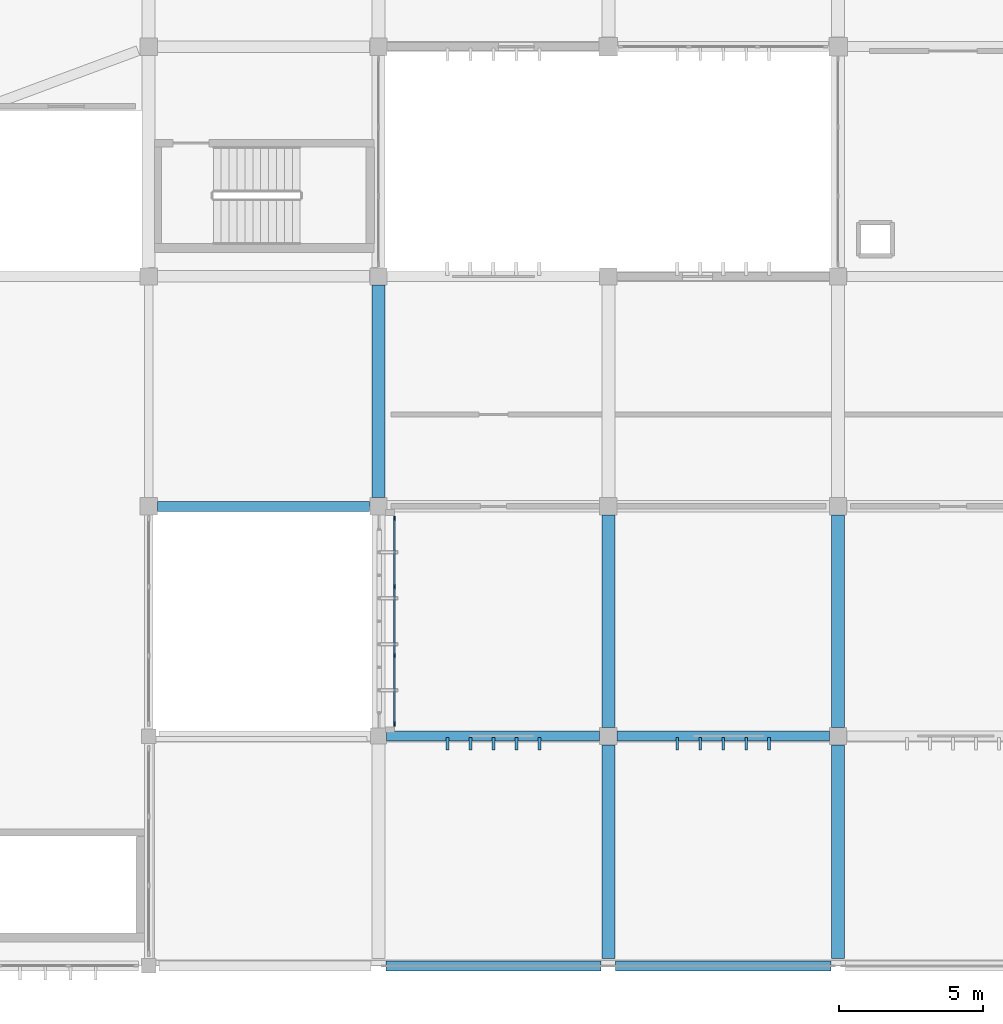
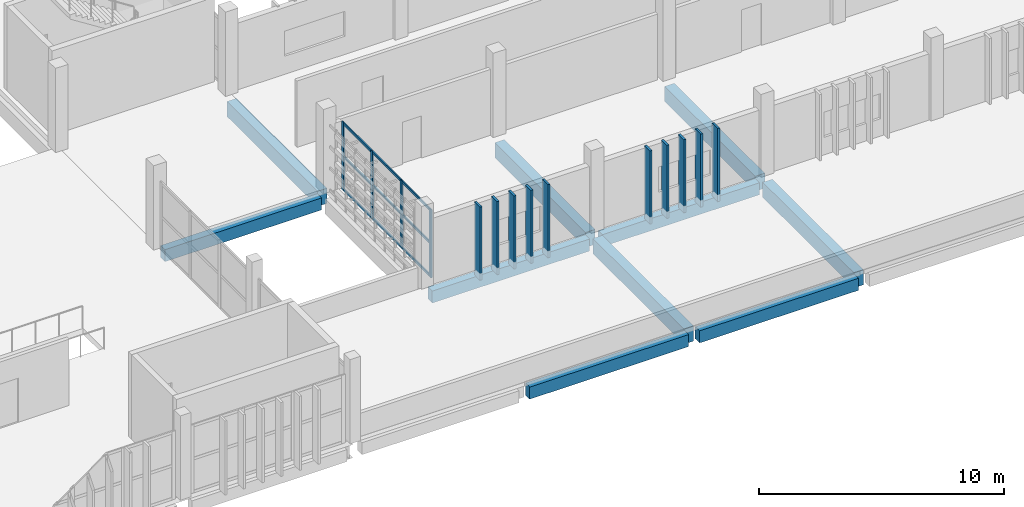
# One storey, part 12 of 137: 23 members, 10 beams, 1 element without a shape of its own.
"""IFC4 building model written with IfcOpenShell, lengths in metres."""

from ifc_helpers import new_model, si_unit, direction, frame, origin, origin_2d, place, context, subcontext, project, spatial, rectangle, extrude, material, layer, layer_set, material_profile, profile_set, type_object, element, aggregate, save


model = new_model("IFC4")

# Units and contexts
model_context = context("Model", 3, precision=1e-05, world=origin(), true_north=direction((0.0, 1.0)))
body_context = subcontext(model_context, "Body", "Model", "MODEL_VIEW")
ifc_project = project(units=[si_unit("LENGTHUNIT", "METRE"), si_unit("AREAUNIT", "SQUARE_METRE"), si_unit("VOLUMEUNIT", "CUBIC_METRE"), si_unit("PLANEANGLEUNIT", "RADIAN"), si_unit("MASSUNIT", "GRAM", prefix="KILO")], contexts=[model_context])

# Site, building, storey
site_placement = place(None, origin())
site = spatial("IfcSite", under=ifc_project, at=site_placement, CompositionType="ELEMENT")
building_placement = place(site_placement, origin())
building = spatial("IfcBuilding", under=site, at=building_placement, Name="Jelvoka-Kovrelna Polytechnic", CompositionType="ELEMENT")
storey_placement = place(building_placement, frame((0.0, 0.0, 9.60009765625)))
storey = spatial("IfcBuildingStorey", under=building, at=storey_placement, Name="L03", CompositionType="ELEMENT", Elevation=9.60009765625)

# Beams
ifc_material_1 = material(Name="Concrete C40/50", Category="concrete")
ifc_material_profile_1 = material_profile(ifc_material_1, rectangle(XDim=0.449951171875, YDim=0.75, at=origin_2d()), Name="RC 450x750")
ifc_profile_set_1 = profile_set([ifc_material_profile_1], Name="Concrete C40/50")
beam_type_1 = type_object("IfcBeamType", Name="Beam_RC_450x750", PredefinedType="BEAM", material=ifc_profile_set_1)
for number, where, z_axis, x_axis, name in (
    (1, (56.0, 16.304931640625, -0.64013671875), (0.0, 1.0, 0.0), (-1.0, 0.0, 0.0), "L03 beam 0884"),
    (2, (64.0, 8.304931640625, -0.64013671875), (0.0, 1.0, 0.0), (-1.0, 0.0, 0.0), "L03 beam 0885"),
    (3, (72.0, 8.304931640625, -0.64013671875), (0.0, 1.0, 0.0), (-1.0, 0.0, 0.0), "L03 beam 0887"),
):
    element("IfcBeam", number, at=place(storey_placement, frame(where, z_axis=z_axis, x_axis=x_axis)), inside=storey, type_object=beam_type_1, Name=name, PredefinedType="BEAM", context=body_context, shape_type="SweptSolid", body=[
        extrude(rectangle(XDim=0.449951171875, YDim=0.75, at=origin_2d()), origin(), (0.0, 0.0, 1.0), 7.39013671875),
    ])
for number, where, z_axis, x_axis, name in (
    (4, (64.0, 0.2548828125, -0.565185546875), (0.0, 1.0, 0.0), (-1.0, 0.0, 0.0), "L03 beam 2049"),
    (5, (72.0, 0.2548828125, -0.565185546875), (0.0, 1.0, 0.0), (-1.0, 0.0, 0.0), "L03 beam 2050"),
):
    element("IfcBeam", number, at=place(storey_placement, frame(where, z_axis=z_axis, x_axis=x_axis)), inside=storey, type_object=beam_type_1, Name=name, PredefinedType="BEAM", context=body_context, shape_type="SweptSolid", body=[
        extrude(rectangle(XDim=0.449951171875, YDim=0.75, at=origin_2d()), origin(), (0.0, 0.0, 1.0), 7.440185546875),
    ])

# Members
ifc_material_2 = material(Name="Precast concrete C40/50", Category="concrete")
ifc_material_profile_2 = material_profile(ifc_material_2, rectangle(XDim=0.10009765625, YDim=0.449951171875, at=origin_2d()), Name="PC 100x450")
ifc_profile_set_2 = profile_set([ifc_material_profile_2], Name="Precast concrete C40/50")
member_type_1 = type_object("IfcMemberType", Name="Louvre_Fin_100x450", PredefinedType="USERDEFINED", material=ifc_profile_set_2)
for number, where, z_axis, x_axis, name in (
    (6, (58.39990234375, 7.735107421875, -0.27001953125), (0.0, 0.0, 1.0), (1.0, 0.0, 0.0), "L03 B1 south vertical solar louvre fin 0216"),
    (7, (59.199951171875, 7.735107421875, -0.27001953125), (0.0, 0.0, 1.0), (1.0, 0.0, 0.0), "L03 B1 south vertical solar louvre fin 0217"),
    (8, (60.0, 7.735107421875, -0.27001953125), (0.0, 0.0, 1.0), (1.0, 0.0, 0.0), "L03 B1 south vertical solar louvre fin 0218"),
    (9, (60.800048828125, 7.735107421875, -0.27001953125), (0.0, 0.0, 1.0), (1.0, 0.0, 0.0), "L03 B1 south vertical solar louvre fin 0219"),
    (10, (61.60009765625, 7.735107421875, -0.27001953125), (0.0, 0.0, 1.0), (1.0, 0.0, 0.0), "L03 B1 south vertical solar louvre fin 0220"),
    (11, (66.39990234375, 7.735107421875, -0.27001953125), (0.0, 0.0, 1.0), (1.0, 0.0, 0.0), "L03 B1 south vertical solar louvre fin 0226"),
    (12, (67.199951171875, 7.735107421875, -0.27001953125), (0.0, 0.0, 1.0), (1.0, 0.0, 0.0), "L03 B1 south vertical solar louvre fin 0227"),
    (13, (68.0, 7.735107421875, -0.27001953125), (0.0, 0.0, 1.0), (1.0, 0.0, 0.0), "L03 B1 south vertical solar louvre fin 0228"),
    (14, (68.800048828125, 7.735107421875, -0.27001953125), (0.0, 0.0, 1.0), (1.0, 0.0, 0.0), "L03 B1 south vertical solar louvre fin 0229"),
    (15, (69.60009765625, 7.735107421875, -0.27001953125), (0.0, 0.0, 1.0), (1.0, 0.0, 0.0), "L03 B1 south vertical solar louvre fin 0230"),
):
    element("IfcMember", number, at=place(storey_placement, frame(where, z_axis=z_axis, x_axis=x_axis)), inside=storey, type_object=member_type_1, Name=name, ObjectType="SUNSHADE", PredefinedType="USERDEFINED", context=body_context, shape_type="SweptSolid", body=[
        extrude(rectangle(XDim=0.10009765625, YDim=0.449951171875, at=origin_2d()), origin(), (0.0, 0.0, 1.0), 3.64501953125),
    ])

# Curtain wall, members
ifc_material_3 = material(Name="Anodised aluminium 6063-T6", Category="aluminium")
ifc_layer = layer(ifc_material_3, 0.159912109375)
ifc_layer_set = layer_set([ifc_layer], Name="Anodised aluminium 6063-T6")
curtain_wall_type = type_object("IfcCurtainWallType", Name="CW_Recessed_A", PredefinedType="NOTDEFINED", material=ifc_layer_set)
curtain_wall_placement = place(storey_placement, origin())
curtain_wall = element("IfcCurtainWall", 16, at=curtain_wall_placement, inside=storey, type_object=curtain_wall_type, Name="L03 glazed curtain wall 003", PredefinedType="NOTDEFINED")
ifc_material_4 = material(Name="Anodised aluminium 6063-T6", Category="aluminium")
ifc_material_profile_3 = material_profile(ifc_material_4, rectangle(XDim=0.06005859375, YDim=0.159912109375, at=origin_2d()), Name="ALU 60x160")
ifc_profile_set_3 = profile_set([ifc_material_profile_3], Name="Anodised aluminium 6063-T6")
member_type_2 = type_object("IfcMemberType", Name="Mullion_M-01", PredefinedType="MULLION", material=ifc_profile_set_3)
member_1_placement = place(storey_placement, frame((56.56005859375, 8.429931640625, -0.02490234375), z_axis=(0.0, 0.0, 1.0), x_axis=(-1.0, 0.0, 0.0)))
member_1 = element("IfcMember", 17, at=member_1_placement, type_object=member_type_2, Name="CW-01 mullion 1", PredefinedType="MULLION", context=body_context, shape_type="SweptSolid", body=[
    extrude(rectangle(XDim=0.06005859375, YDim=0.159912109375, at=origin_2d()), origin(), (0.0, 0.0, 1.0), 3.39990234375),
])
member_2_placement = place(storey_placement, frame((56.56005859375, 10.800048828125, -0.02490234375), z_axis=(0.0, 0.0, 1.0), x_axis=(-1.0, 0.0, 0.0)))
member_2 = element("IfcMember", 18, at=member_2_placement, type_object=member_type_2, Name="CW-01 mullion 2", PredefinedType="MULLION", context=body_context, shape_type="SweptSolid", body=[
    extrude(rectangle(XDim=0.06005859375, YDim=0.159912109375, at=origin_2d()), origin(), (0.0, 0.0, 1.0), 3.39990234375),
])
member_3_placement = place(storey_placement, frame((56.56005859375, 13.199951171875, -0.02490234375), z_axis=(0.0, 0.0, 1.0), x_axis=(-1.0, 0.0, 0.0)))
member_3 = element("IfcMember", 19, at=member_3_placement, type_object=member_type_2, Name="CW-01 mullion 3", PredefinedType="MULLION", context=body_context, shape_type="SweptSolid", body=[
    extrude(rectangle(XDim=0.06005859375, YDim=0.159912109375, at=origin_2d()), origin(), (0.0, 0.0, 1.0), 3.39990234375),
])
member_4_placement = place(storey_placement, frame((56.56005859375, 15.570068359375, -0.02490234375), z_axis=(0.0, 0.0, 1.0), x_axis=(-1.0, 0.0, 0.0)))
member_4 = element("IfcMember", 20, at=member_4_placement, type_object=member_type_2, Name="CW-01 mullion 4", PredefinedType="MULLION", context=body_context, shape_type="SweptSolid", body=[
    extrude(rectangle(XDim=0.06005859375, YDim=0.159912109375, at=origin_2d()), origin(), (0.0, 0.0, 1.0), 3.39990234375),
])

# Beams
ifc_material_5 = material(Name="Concrete C40/50", Category="concrete")
ifc_material_profile_4 = material_profile(ifc_material_5, rectangle(XDim=0.35009765625, YDim=0.60009765625, at=origin_2d()), Name="RC 350x600")
ifc_profile_set_4 = profile_set([ifc_material_profile_4], Name="Concrete C40/50")
beam_type_2 = type_object("IfcBeamType", Name="Spandrel_RC_350x600", PredefinedType="SPANDREL", material=ifc_profile_set_4)
beam_placement = place(storey_placement, frame((56.280029296875, 8.0, -0.565185546875), z_axis=(1.0, 0.0, 0.0), x_axis=(0.0, 1.0, 0.0)))
element("IfcBeam", 21, at=beam_placement, inside=storey, type_object=beam_type_2, Name="L03 beam 0863", PredefinedType="SPANDREL", context=body_context, shape_type="SweptSolid", body=[
    extrude(rectangle(XDim=0.35009765625, YDim=0.60009765625, at=origin_2d()), origin(), (0.0, 0.0, 1.0), 7.4150390625),
])
for number, where, z_axis, x_axis, name in (
    (22, (64.304931640625, 8.0, -0.565185546875), (1.0, 0.0, 0.0), (0.0, 1.0, 0.0), "L03 beam 0864"),
    (23, (48.304931640625, 16.0, -0.565185546875), (1.0, 0.0, 0.0), (0.0, 1.0, 0.0), "L03 beam 1088"),
):
    element("IfcBeam", number, at=place(storey_placement, frame(where, z_axis=z_axis, x_axis=x_axis)), inside=storey, type_object=beam_type_2, Name=name, PredefinedType="SPANDREL", context=body_context, shape_type="SweptSolid", body=[
        extrude(rectangle(XDim=0.35009765625, YDim=0.60009765625, at=origin_2d()), origin(), (0.0, 0.0, 1.0), 7.39013671875),
    ])
for number, where, z_axis, x_axis, name in (
    (24, (56.2548828125, 0.0, -0.489990234375), (1.0, 0.0, 0.0), (0.0, 1.0, 0.0), "L03 beam 2034"),
    (25, (64.2548828125, 0.0, -0.489990234375), (1.0, 0.0, 0.0), (0.0, 1.0, 0.0), "L03 beam 2035"),
):
    element("IfcBeam", number, at=place(storey_placement, frame(where, z_axis=z_axis, x_axis=x_axis)), inside=storey, type_object=beam_type_2, Name=name, PredefinedType="SPANDREL", context=body_context, shape_type="SweptSolid", body=[
        extrude(rectangle(XDim=0.35009765625, YDim=0.60009765625, at=origin_2d()), origin(), (0.0, 0.0, 1.0), 7.490234375),
    ])

# Member
ifc_material_6 = material(Name="Anodised aluminium 6063-T6", Category="aluminium")
ifc_material_profile_5 = material_profile(ifc_material_6, rectangle(XDim=0.06005859375, YDim=0.1201171875, at=origin_2d()), Name="ALU 60x120")
ifc_profile_set_5 = profile_set([ifc_material_profile_5], Name="Anodised aluminium 6063-T6")
member_type_3 = type_object("IfcMemberType", Name="Transom_T-01", PredefinedType="USERDEFINED", material=ifc_profile_set_5)
member_5_placement = place(storey_placement, frame((56.56005859375, 8.4599609375, 0.02978515625), z_axis=(0.0, 1.0, 0.0), x_axis=(-1.0, 0.0, 0.0)))
member_5 = element("IfcMember", 26, at=member_5_placement, type_object=member_type_3, Name="CW-01 transom 1.1", ObjectType="TRANSOM", PredefinedType="USERDEFINED", context=body_context, shape_type="SweptSolid", body=[
    extrude(rectangle(XDim=0.06005859375, YDim=0.1201171875, at=origin_2d()), origin(), (0.0, 0.0, 1.0), 2.31005859375),
])

member_6_placement = place(storey_placement, frame((56.56005859375, 8.4599609375, 1.6748046875), z_axis=(0.0, 1.0, 0.0), x_axis=(-1.0, 0.0, 0.0)))
member_6 = element("IfcMember", 27, at=member_6_placement, type_object=member_type_3, Name="CW-01 transom 1.2", ObjectType="TRANSOM", PredefinedType="USERDEFINED", context=body_context, shape_type="SweptSolid", body=[
    extrude(rectangle(XDim=0.06005859375, YDim=0.1201171875, at=origin_2d()), origin(), (0.0, 0.0, 1.0), 2.31005859375),
])

member_7_placement = place(storey_placement, frame((56.56005859375, 8.4599609375, 3.31982421875), z_axis=(0.0, 1.0, 0.0), x_axis=(-1.0, 0.0, 0.0)))
member_7 = element("IfcMember", 28, at=member_7_placement, type_object=member_type_3, Name="CW-01 transom 1.3", ObjectType="TRANSOM", PredefinedType="USERDEFINED", context=body_context, shape_type="SweptSolid", body=[
    extrude(rectangle(XDim=0.06005859375, YDim=0.1201171875, at=origin_2d()), origin(), (0.0, 0.0, 1.0), 2.31005859375),
])

member_8_placement = place(storey_placement, frame((56.56005859375, 10.830078125, 0.02978515625), z_axis=(0.0, 1.0, 0.0), x_axis=(-1.0, 0.0, 0.0)))
member_8 = element("IfcMember", 29, at=member_8_placement, type_object=member_type_3, Name="CW-01 transom 2.1", ObjectType="TRANSOM", PredefinedType="USERDEFINED", context=body_context, shape_type="SweptSolid", body=[
    extrude(rectangle(XDim=0.06005859375, YDim=0.1201171875, at=origin_2d()), origin(), (0.0, 0.0, 1.0), 2.33984375),
])

member_9_placement = place(storey_placement, frame((56.56005859375, 10.830078125, 1.6748046875), z_axis=(0.0, 1.0, 0.0), x_axis=(-1.0, 0.0, 0.0)))
member_9 = element("IfcMember", 30, at=member_9_placement, type_object=member_type_3, Name="CW-01 transom 2.2", ObjectType="TRANSOM", PredefinedType="USERDEFINED", context=body_context, shape_type="SweptSolid", body=[
    extrude(rectangle(XDim=0.06005859375, YDim=0.1201171875, at=origin_2d()), origin(), (0.0, 0.0, 1.0), 2.33984375),
])

member_10_placement = place(storey_placement, frame((56.56005859375, 10.830078125, 3.31982421875), z_axis=(0.0, 1.0, 0.0), x_axis=(-1.0, 0.0, 0.0)))
member_10 = element("IfcMember", 31, at=member_10_placement, type_object=member_type_3, Name="CW-01 transom 2.3", ObjectType="TRANSOM", PredefinedType="USERDEFINED", context=body_context, shape_type="SweptSolid", body=[
    extrude(rectangle(XDim=0.06005859375, YDim=0.1201171875, at=origin_2d()), origin(), (0.0, 0.0, 1.0), 2.33984375),
])

member_11_placement = place(storey_placement, frame((56.56005859375, 13.22998046875, 0.02978515625), z_axis=(0.0, 1.0, 0.0), x_axis=(-1.0, 0.0, 0.0)))
member_11 = element("IfcMember", 32, at=member_11_placement, type_object=member_type_3, Name="CW-01 transom 3.1", ObjectType="TRANSOM", PredefinedType="USERDEFINED", context=body_context, shape_type="SweptSolid", body=[
    extrude(rectangle(XDim=0.06005859375, YDim=0.1201171875, at=origin_2d()), origin(), (0.0, 0.0, 1.0), 2.31005859375),
])

member_12_placement = place(storey_placement, frame((56.56005859375, 13.22998046875, 1.6748046875), z_axis=(0.0, 1.0, 0.0), x_axis=(-1.0, 0.0, 0.0)))
member_12 = element("IfcMember", 33, at=member_12_placement, type_object=member_type_3, Name="CW-01 transom 3.2", ObjectType="TRANSOM", PredefinedType="USERDEFINED", context=body_context, shape_type="SweptSolid", body=[
    extrude(rectangle(XDim=0.06005859375, YDim=0.1201171875, at=origin_2d()), origin(), (0.0, 0.0, 1.0), 2.31005859375),
])

member_13_placement = place(storey_placement, frame((56.56005859375, 13.22998046875, 3.31982421875), z_axis=(0.0, 1.0, 0.0), x_axis=(-1.0, 0.0, 0.0)))
member_13 = element("IfcMember", 34, at=member_13_placement, type_object=member_type_3, Name="CW-01 transom 3.3", ObjectType="TRANSOM", PredefinedType="USERDEFINED", context=body_context, shape_type="SweptSolid", body=[
    extrude(rectangle(XDim=0.06005859375, YDim=0.1201171875, at=origin_2d()), origin(), (0.0, 0.0, 1.0), 2.31005859375),
])

aggregate(curtain_wall, [member_1, member_2, member_3, member_4, member_5, member_6, member_7, member_8, member_9, member_10, member_11, member_12, member_13])

save(model, "model.ifc")
